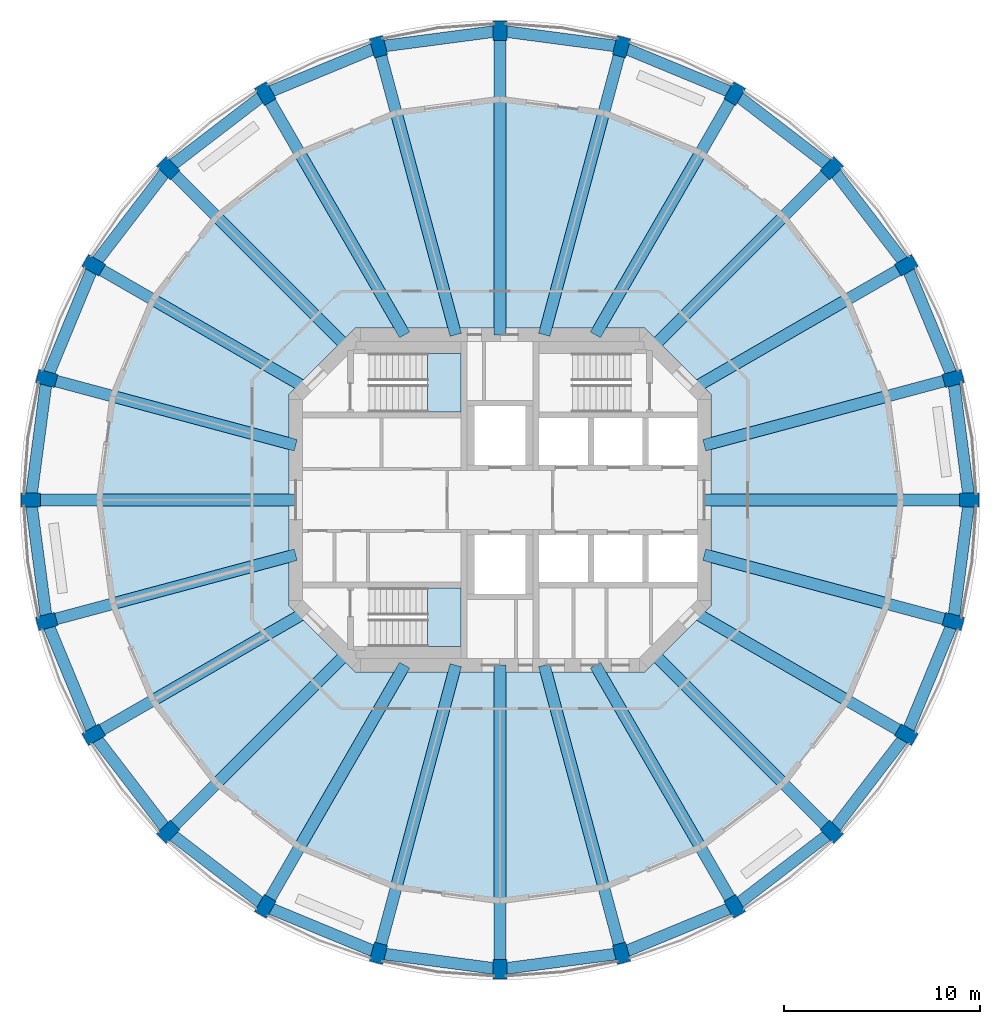
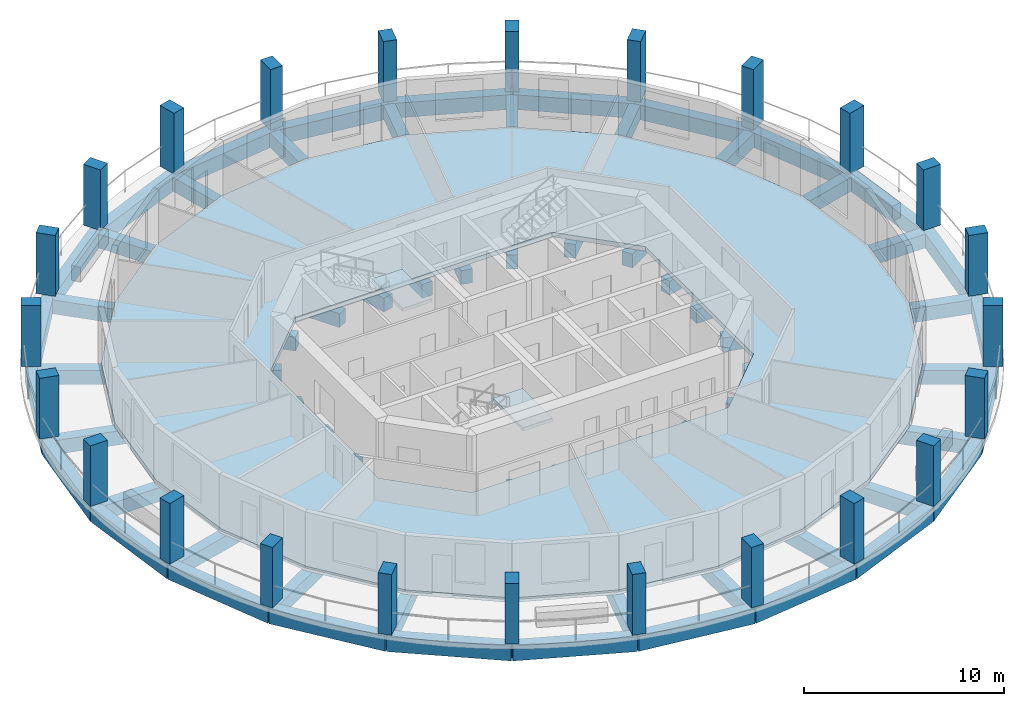
# One storey, part 1 of 9: 48 beams, 24 columns, 3 slabs, 2 elements without a shape of their own.
"""IFC4 building model written with IfcOpenShell, lengths in metres."""

from ifc_helpers import new_model, si_unit, direction, frame, origin, origin_2d, place, context, subcontext, project, spatial, polyline, rectangle, outline, extrude, material, layer, layer_set, material_profile, profile_set, type_object, element, aggregate, save


model = new_model("IFC4")

# Units and contexts
model_context = context("Model", 3, precision=1e-05, world=origin(), true_north=direction((0.0, 1.0)))
body_context = subcontext(model_context, "Body", "Model", "MODEL_VIEW")
ifc_project = project(units=[si_unit("LENGTHUNIT", "METRE"), si_unit("AREAUNIT", "SQUARE_METRE"), si_unit("VOLUMEUNIT", "CUBIC_METRE"), si_unit("PLANEANGLEUNIT", "RADIAN"), si_unit("MASSUNIT", "GRAM", prefix="KILO")], contexts=[model_context])

# Site, building, storey
site_placement = place(None, origin())
site = spatial("IfcSite", under=ifc_project, at=site_placement, CompositionType="ELEMENT")
building_placement = place(site_placement, origin())
building = spatial("IfcBuilding", under=site, at=building_placement, Name="Torre Triforio", CompositionType="ELEMENT")
storey_placement = place(building_placement, frame((0.0, 0.0, 244.60009765625)))
storey = spatial("IfcBuildingStorey", under=building, at=storey_placement, Name="L56", CompositionType="ELEMENT", Elevation=244.60009765625)

# Columns
ifc_material_1 = material(Name="Concrete C50", Category="concrete")
ifc_material_profile_1 = material_profile(ifc_material_1, rectangle(XDim=0.699951171875, YDim=1.0, at=origin_2d()), Name="RC 700x1000")
ifc_profile_set_1 = profile_set([ifc_material_profile_1], Name="Concrete C50")
column_type = type_object("IfcColumnType", Name="Pier RC 700x1000 C50", PredefinedType="COLUMN", material=ifc_profile_set_1)
for number, where, z_axis, x_axis, name in (
    (1, (24.0, 0.0, 0.0), (0.0, 0.0, 1.0), (0.0, 1.0, 0.0), "COL.R.L56.00"),
    (2, (23.18212890625, 6.211669921875, 0.0), (0.0, 0.0, 1.0), (-0.258819045103, 0.965925826289, 0.0), "COL.R.L56.01"),
    (3, (20.78466796875, 12.0, 0.0), (0.0, 0.0, 1.0), (-0.5, 0.866025403784, 0.0), "COL.R.L56.02"),
    (4, (16.970458984375, 16.970458984375, 0.0), (0.0, 0.0, 1.0), (-0.707106781187, 0.707106781187, 0.0), "COL.R.L56.03"),
    (5, (12.0, 20.78466796875, 0.0), (0.0, 0.0, 1.0), (-0.866025403784, 0.5, 0.0), "COL.R.L56.04"),
    (6, (6.211669921875, 23.18212890625, 0.0), (0.0, 0.0, 1.0), (-0.965925826289, 0.258819045103, 0.0), "COL.R.L56.05"),
    (7, (0.0, 24.0, 0.0), (0.0, 0.0, 1.0), (-1.0, 0.0, 0.0), "COL.R.L56.06"),
    (8, (-6.211669921875, 23.18212890625, 0.0), (0.0, 0.0, 1.0), (-0.965925826289, -0.258819045103, 0.0), "COL.R.L56.07"),
    (9, (-12.0, 20.78466796875, 0.0), (0.0, 0.0, 1.0), (-0.866025403784, -0.5, 0.0), "COL.R.L56.08"),
    (10, (-16.970458984375, 16.970458984375, 0.0), (0.0, 0.0, 1.0), (-0.707106781187, -0.707106781187, 0.0), "COL.R.L56.09"),
    (11, (-20.78466796875, 12.0, 0.0), (0.0, 0.0, 1.0), (-0.5, -0.866025403784, 0.0), "COL.R.L56.10"),
    (12, (-23.18212890625, 6.211669921875, 0.0), (0.0, 0.0, 1.0), (-0.258819045103, -0.965925826289, 0.0), "COL.R.L56.11"),
    (13, (-24.0, 0.0, 0.0), (0.0, 0.0, 1.0), (0.0, -1.0, 0.0), "COL.R.L56.12"),
    (14, (-23.18212890625, -6.211669921875, 0.0), (0.0, 0.0, 1.0), (0.258819045103, -0.965925826289, 0.0), "COL.R.L56.13"),
    (15, (-20.78466796875, -12.0, 0.0), (0.0, 0.0, 1.0), (0.5, -0.866025403784, 0.0), "COL.R.L56.14"),
    (16, (-16.970458984375, -16.970458984375, 0.0), (0.0, 0.0, 1.0), (0.707106781187, -0.707106781187, 0.0), "COL.R.L56.15"),
    (17, (-12.0, -20.78466796875, 0.0), (0.0, 0.0, 1.0), (0.866025403784, -0.5, 0.0), "COL.R.L56.16"),
    (18, (-6.211669921875, -23.18212890625, 0.0), (0.0, 0.0, 1.0), (0.965925826289, -0.258819045103, 0.0), "COL.R.L56.17"),
    (19, (0.0, -24.0, 0.0), (0.0, 0.0, 1.0), (1.0, 0.0, 0.0), "COL.R.L56.18"),
    (20, (6.211669921875, -23.18212890625, 0.0), (0.0, 0.0, 1.0), (0.965925826289, 0.258819045103, 0.0), "COL.R.L56.19"),
    (21, (12.0, -20.78466796875, 0.0), (0.0, 0.0, 1.0), (0.866025403784, 0.5, 0.0), "COL.R.L56.20"),
    (22, (16.970458984375, -16.970458984375, 0.0), (0.0, 0.0, 1.0), (0.707106781187, 0.707106781187, 0.0), "COL.R.L56.21"),
    (23, (20.78466796875, -12.0, 0.0), (0.0, 0.0, 1.0), (0.5, 0.866025403784, 0.0), "COL.R.L56.22"),
    (24, (23.18212890625, -6.211669921875, 0.0), (0.0, 0.0, 1.0), (0.258819045103, 0.965925826289, 0.0), "COL.R.L56.23"),
):
    element("IfcColumn", number, at=place(storey_placement, frame(where, z_axis=z_axis, x_axis=x_axis)), inside=storey, type_object=column_type, Name=name, PredefinedType="COLUMN", context=body_context, shape_type="SweptSolid", body=[
        extrude(rectangle(XDim=0.699951171875, YDim=1.0, at=origin_2d()), origin(), (0.0, 0.0, 1.0), 3.699951171875),
    ])

# Beams
ifc_material_2 = material(Name="Concrete C40", Category="concrete")
ifc_material_profile_2 = material_profile(ifc_material_2, rectangle(XDim=0.60009765625, YDim=0.85009765625, at=origin_2d()), Name="RC 600x850")
ifc_profile_set_2 = profile_set([ifc_material_profile_2], Name="Concrete C40")
beam_type_1 = type_object("IfcBeamType", Name="Radial beam RC 600x850 C40", PredefinedType="BEAM", material=ifc_profile_set_2)
beam_1_placement = place(storey_placement, frame((10.449951171875, 0.0, -0.705078125), z_axis=(1.0, 0.0, 0.0), x_axis=(0.0, 1.0, 0.0)))
element("IfcBeam", 25, at=beam_1_placement, inside=storey, type_object=beam_type_1, Name="BM.R.L56.00", PredefinedType="BEAM", context=body_context, shape_type="SweptSolid", body=[
    extrude(rectangle(XDim=0.60009765625, YDim=0.85009765625, at=origin_2d()), origin(), (0.0, 0.0, 1.0), 13.550048828125),
])
beam_2_placement = place(storey_placement, frame((10.449951171875, 2.800048828125, -0.705078125), z_axis=(0.965924985096, 0.258822184459, 0.0), x_axis=(-0.258822184459, 0.965924985096, 0.0)))
element("IfcBeam", 26, at=beam_2_placement, inside=storey, type_object=beam_type_1, Name="BM.R.L56.01", PredefinedType="BEAM", context=body_context, shape_type="SweptSolid", body=[
    extrude(rectangle(XDim=0.60009765625, YDim=0.85009765625, at=origin_2d()), origin(), (0.0, 0.0, 1.0), 13.181396484375),
])
beam_3_placement = place(storey_placement, frame((9.9501953125, 5.744873046875, -0.705078125), z_axis=(0.866030898433, 0.499990482869, 0.0), x_axis=(-0.499990482869, 0.866030898433, 0.0)))
element("IfcBeam", 27, at=beam_3_placement, inside=storey, type_object=beam_type_1, Name="BM.R.L56.02", PredefinedType="BEAM", context=body_context, shape_type="SweptSolid", body=[
    extrude(rectangle(XDim=0.60009765625, YDim=0.85009765625, at=origin_2d()), origin(), (0.0, 0.0, 1.0), 12.510498046875),
])
beam_4_placement = place(storey_placement, frame((7.847412109375, 7.847412109375, -0.705078125), z_axis=(0.707106781187, 0.707106781187, 0.0), x_axis=(-0.707106781187, 0.707106781187, 0.0)))
element("IfcBeam", 28, at=beam_4_placement, inside=storey, type_object=beam_type_1, Name="BM.R.L56.03", PredefinedType="BEAM", context=body_context, shape_type="SweptSolid", body=[
    extrude(rectangle(XDim=0.60009765625, YDim=0.85009765625, at=origin_2d()), origin(), (0.0, 0.0, 1.0), 12.90185546875),
])
beam_5_placement = place(storey_placement, frame((4.878662109375, 8.449951171875, -0.705078125), z_axis=(0.499993987895, 0.866028874847, 0.0), x_axis=(-0.866028874847, 0.499993987895, 0.0)))
element("IfcBeam", 29, at=beam_5_placement, inside=storey, type_object=beam_type_1, Name="BM.R.L56.04", PredefinedType="BEAM", context=body_context, shape_type="SweptSolid", body=[
    extrude(rectangle(XDim=0.60009765625, YDim=0.85009765625, at=origin_2d()), origin(), (0.0, 0.0, 1.0), 14.242919921875),
])
beam_6_placement = place(storey_placement, frame((2.26416015625, 8.449951171875, -0.705078125), z_axis=(0.258821164091, 0.965925258505, 0.0), x_axis=(-0.965925258505, 0.258821164091, 0.0)))
element("IfcBeam", 30, at=beam_6_placement, inside=storey, type_object=beam_type_1, Name="BM.R.L56.05", PredefinedType="BEAM", context=body_context, shape_type="SweptSolid", body=[
    extrude(rectangle(XDim=0.60009765625, YDim=0.85009765625, at=origin_2d()), origin(), (0.0, 0.0, 1.0), 15.251953125),
])
beam_7_placement = place(storey_placement, frame((0.0, 8.449951171875, -0.705078125), z_axis=(0.0, 1.0, 0.0), x_axis=(-1.0, 0.0, 0.0)))
element("IfcBeam", 31, at=beam_7_placement, inside=storey, type_object=beam_type_1, Name="BM.R.L56.06", PredefinedType="BEAM", context=body_context, shape_type="SweptSolid", body=[
    extrude(rectangle(XDim=0.60009765625, YDim=0.85009765625, at=origin_2d()), origin(), (0.0, 0.0, 1.0), 15.550048828125),
])
beam_8_placement = place(storey_placement, frame((-2.26416015625, 8.449951171875, -0.705078125), z_axis=(-0.258821164091, 0.965925258505, 0.0), x_axis=(-0.965925258505, -0.258821164091, 0.0)))
element("IfcBeam", 32, at=beam_8_placement, inside=storey, type_object=beam_type_1, Name="BM.R.L56.07", PredefinedType="BEAM", context=body_context, shape_type="SweptSolid", body=[
    extrude(rectangle(XDim=0.60009765625, YDim=0.85009765625, at=origin_2d()), origin(), (0.0, 0.0, 1.0), 15.251953125),
])
beam_9_placement = place(storey_placement, frame((-4.878662109375, 8.449951171875, -0.705078125), z_axis=(-0.499993987895, 0.866028874847, 0.0), x_axis=(-0.866028874847, -0.499993987895, 0.0)))
element("IfcBeam", 33, at=beam_9_placement, inside=storey, type_object=beam_type_1, Name="BM.R.L56.08", PredefinedType="BEAM", context=body_context, shape_type="SweptSolid", body=[
    extrude(rectangle(XDim=0.60009765625, YDim=0.85009765625, at=origin_2d()), origin(), (0.0, 0.0, 1.0), 14.242919921875),
])
beam_10_placement = place(storey_placement, frame((-7.847412109375, 7.847412109375, -0.705078125), z_axis=(-0.707106781187, 0.707106781187, 0.0), x_axis=(-0.707106781187, -0.707106781187, 0.0)))
element("IfcBeam", 34, at=beam_10_placement, inside=storey, type_object=beam_type_1, Name="BM.R.L56.09", PredefinedType="BEAM", context=body_context, shape_type="SweptSolid", body=[
    extrude(rectangle(XDim=0.60009765625, YDim=0.85009765625, at=origin_2d()), origin(), (0.0, 0.0, 1.0), 12.90185546875),
])
beam_11_placement = place(storey_placement, frame((-9.9501953125, 5.744873046875, -0.705078125), z_axis=(-0.866030898433, 0.499990482869, 0.0), x_axis=(-0.499990482869, -0.866030898433, 0.0)))
element("IfcBeam", 35, at=beam_11_placement, inside=storey, type_object=beam_type_1, Name="BM.R.L56.10", PredefinedType="BEAM", context=body_context, shape_type="SweptSolid", body=[
    extrude(rectangle(XDim=0.60009765625, YDim=0.85009765625, at=origin_2d()), origin(), (0.0, 0.0, 1.0), 12.510498046875),
])
beam_12_placement = place(storey_placement, frame((-10.449951171875, 2.800048828125, -0.705078125), z_axis=(-0.965924985096, 0.258822184459, 0.0), x_axis=(-0.258822184459, -0.965924985096, 0.0)))
element("IfcBeam", 36, at=beam_12_placement, inside=storey, type_object=beam_type_1, Name="BM.R.L56.11", PredefinedType="BEAM", context=body_context, shape_type="SweptSolid", body=[
    extrude(rectangle(XDim=0.60009765625, YDim=0.85009765625, at=origin_2d()), origin(), (0.0, 0.0, 1.0), 13.181396484375),
])
beam_13_placement = place(storey_placement, frame((-10.449951171875, 0.0, -0.705078125), z_axis=(-1.0, 0.0, 0.0), x_axis=(0.0, -1.0, 0.0)))
element("IfcBeam", 37, at=beam_13_placement, inside=storey, type_object=beam_type_1, Name="BM.R.L56.12", PredefinedType="BEAM", context=body_context, shape_type="SweptSolid", body=[
    extrude(rectangle(XDim=0.60009765625, YDim=0.85009765625, at=origin_2d()), origin(), (0.0, 0.0, 1.0), 13.550048828125),
])
beam_14_placement = place(storey_placement, frame((-10.449951171875, -2.800048828125, -0.705078125), z_axis=(-0.965924985096, -0.258822184459, 0.0), x_axis=(0.258822184459, -0.965924985096, 0.0)))
element("IfcBeam", 38, at=beam_14_placement, inside=storey, type_object=beam_type_1, Name="BM.R.L56.13", PredefinedType="BEAM", context=body_context, shape_type="SweptSolid", body=[
    extrude(rectangle(XDim=0.60009765625, YDim=0.85009765625, at=origin_2d()), origin(), (0.0, 0.0, 1.0), 13.181396484375),
])
beam_15_placement = place(storey_placement, frame((-9.9501953125, -5.744873046875, -0.705078125), z_axis=(-0.866030898433, -0.499990482869, 0.0), x_axis=(0.499990482869, -0.866030898433, 0.0)))
element("IfcBeam", 39, at=beam_15_placement, inside=storey, type_object=beam_type_1, Name="BM.R.L56.14", PredefinedType="BEAM", context=body_context, shape_type="SweptSolid", body=[
    extrude(rectangle(XDim=0.60009765625, YDim=0.85009765625, at=origin_2d()), origin(), (0.0, 0.0, 1.0), 12.510498046875),
])
beam_16_placement = place(storey_placement, frame((-7.847412109375, -7.847412109375, -0.705078125), z_axis=(-0.707106781187, -0.707106781187, 0.0), x_axis=(0.707106781187, -0.707106781187, 0.0)))
element("IfcBeam", 40, at=beam_16_placement, inside=storey, type_object=beam_type_1, Name="BM.R.L56.15", PredefinedType="BEAM", context=body_context, shape_type="SweptSolid", body=[
    extrude(rectangle(XDim=0.60009765625, YDim=0.85009765625, at=origin_2d()), origin(), (0.0, 0.0, 1.0), 12.90185546875),
])
beam_17_placement = place(storey_placement, frame((-4.878662109375, -8.449951171875, -0.705078125), z_axis=(-0.499993987895, -0.866028874847, 0.0), x_axis=(0.866028874847, -0.499993987895, 0.0)))
element("IfcBeam", 41, at=beam_17_placement, inside=storey, type_object=beam_type_1, Name="BM.R.L56.16", PredefinedType="BEAM", context=body_context, shape_type="SweptSolid", body=[
    extrude(rectangle(XDim=0.60009765625, YDim=0.85009765625, at=origin_2d()), origin(), (0.0, 0.0, 1.0), 14.242919921875),
])
beam_18_placement = place(storey_placement, frame((-2.26416015625, -8.449951171875, -0.705078125), z_axis=(-0.258821164091, -0.965925258505, 0.0), x_axis=(0.965925258505, -0.258821164091, 0.0)))
element("IfcBeam", 42, at=beam_18_placement, inside=storey, type_object=beam_type_1, Name="BM.R.L56.17", PredefinedType="BEAM", context=body_context, shape_type="SweptSolid", body=[
    extrude(rectangle(XDim=0.60009765625, YDim=0.85009765625, at=origin_2d()), origin(), (0.0, 0.0, 1.0), 15.251953125),
])
beam_19_placement = place(storey_placement, frame((0.0, -8.449951171875, -0.705078125), z_axis=(0.0, -1.0, 0.0), x_axis=(1.0, 0.0, 0.0)))
element("IfcBeam", 43, at=beam_19_placement, inside=storey, type_object=beam_type_1, Name="BM.R.L56.18", PredefinedType="BEAM", context=body_context, shape_type="SweptSolid", body=[
    extrude(rectangle(XDim=0.60009765625, YDim=0.85009765625, at=origin_2d()), origin(), (0.0, 0.0, 1.0), 15.550048828125),
])
beam_20_placement = place(storey_placement, frame((2.26416015625, -8.449951171875, -0.705078125), z_axis=(0.258821164091, -0.965925258505, 0.0), x_axis=(0.965925258505, 0.258821164091, 0.0)))
element("IfcBeam", 44, at=beam_20_placement, inside=storey, type_object=beam_type_1, Name="BM.R.L56.19", PredefinedType="BEAM", context=body_context, shape_type="SweptSolid", body=[
    extrude(rectangle(XDim=0.60009765625, YDim=0.85009765625, at=origin_2d()), origin(), (0.0, 0.0, 1.0), 15.251953125),
])
beam_21_placement = place(storey_placement, frame((4.878662109375, -8.449951171875, -0.705078125), z_axis=(0.499993987895, -0.866028874847, 0.0), x_axis=(0.866028874847, 0.499993987895, 0.0)))
element("IfcBeam", 45, at=beam_21_placement, inside=storey, type_object=beam_type_1, Name="BM.R.L56.20", PredefinedType="BEAM", context=body_context, shape_type="SweptSolid", body=[
    extrude(rectangle(XDim=0.60009765625, YDim=0.85009765625, at=origin_2d()), origin(), (0.0, 0.0, 1.0), 14.242919921875),
])
beam_22_placement = place(storey_placement, frame((7.847412109375, -7.847412109375, -0.705078125), z_axis=(0.707106781187, -0.707106781187, 0.0), x_axis=(0.707106781187, 0.707106781187, 0.0)))
element("IfcBeam", 46, at=beam_22_placement, inside=storey, type_object=beam_type_1, Name="BM.R.L56.21", PredefinedType="BEAM", context=body_context, shape_type="SweptSolid", body=[
    extrude(rectangle(XDim=0.60009765625, YDim=0.85009765625, at=origin_2d()), origin(), (0.0, 0.0, 1.0), 12.90185546875),
])
beam_23_placement = place(storey_placement, frame((9.9501953125, -5.744873046875, -0.705078125), z_axis=(0.866030898433, -0.499990482869, 0.0), x_axis=(0.499990482869, 0.866030898433, 0.0)))
element("IfcBeam", 47, at=beam_23_placement, inside=storey, type_object=beam_type_1, Name="BM.R.L56.22", PredefinedType="BEAM", context=body_context, shape_type="SweptSolid", body=[
    extrude(rectangle(XDim=0.60009765625, YDim=0.85009765625, at=origin_2d()), origin(), (0.0, 0.0, 1.0), 12.510498046875),
])
beam_24_placement = place(storey_placement, frame((10.449951171875, -2.800048828125, -0.705078125), z_axis=(0.965924985096, -0.258822184459, 0.0), x_axis=(0.258822184459, 0.965924985096, 0.0)))
element("IfcBeam", 48, at=beam_24_placement, inside=storey, type_object=beam_type_1, Name="BM.R.L56.23", PredefinedType="BEAM", context=body_context, shape_type="SweptSolid", body=[
    extrude(rectangle(XDim=0.60009765625, YDim=0.85009765625, at=origin_2d()), origin(), (0.0, 0.0, 1.0), 13.181396484375),
])
ifc_material_profile_3 = material_profile(ifc_material_2, rectangle(XDim=0.60009765625, YDim=0.89990234375, at=origin_2d()), Name="RC 600x900")
ifc_profile_set_3 = profile_set([ifc_material_profile_3], Name="Concrete C40")
beam_type_2 = type_object("IfcBeamType", Name="Spandrel beam RC 600x900 C40", PredefinedType="SPANDREL", material=ifc_profile_set_3)
beam_25_placement = place(storey_placement, frame((24.0, 0.0, -0.72998046875), z_axis=(-0.130540192224, 0.991443018138, 0.0), x_axis=(-0.991443018138, -0.130540192224, 0.0)))
element("IfcBeam", 49, at=beam_25_placement, inside=storey, type_object=beam_type_2, Name="BM.S.L56.00", PredefinedType="SPANDREL", context=body_context, shape_type="SweptSolid", body=[
    extrude(rectangle(XDim=0.60009765625, YDim=0.89990234375, at=origin_2d()), origin(), (0.0, 0.0, 1.0), 6.265380859375),
])
beam_26_placement = place(storey_placement, frame((23.18212890625, 6.211669921875, -0.72998046875), z_axis=(-0.382663829839, 0.9238876519, 0.0), x_axis=(-0.9238876519, -0.382663829839, 0.0)))
element("IfcBeam", 50, at=beam_26_placement, inside=storey, type_object=beam_type_2, Name="BM.S.L56.01", PredefinedType="SPANDREL", context=body_context, shape_type="SweptSolid", body=[
    extrude(rectangle(XDim=0.60009765625, YDim=0.89990234375, at=origin_2d()), origin(), (0.0, 0.0, 1.0), 6.26513671875),
])
for number, where, z_axis, x_axis, name in (
    (51, (20.78466796875, 12.0, -0.72998046875), (-0.608785706196, 0.79333471116, 0.0), (-0.79333471116, -0.608785706196, 0.0), "BM.S.L56.02"),
    (52, (16.970458984375, 16.970458984375, -0.72998046875), (-0.79333471116, 0.608785706196, 0.0), (-0.608785706196, -0.79333471116, 0.0), "BM.S.L56.03"),
):
    element("IfcBeam", number, at=place(storey_placement, frame(where, z_axis=z_axis, x_axis=x_axis)), inside=storey, type_object=beam_type_2, Name=name, PredefinedType="SPANDREL", context=body_context, shape_type="SweptSolid", body=[
        extrude(rectangle(XDim=0.60009765625, YDim=0.89990234375, at=origin_2d()), origin(), (0.0, 0.0, 1.0), 6.265380859375),
    ])
beam_27_placement = place(storey_placement, frame((12.0, 20.78466796875, -0.72998046875), z_axis=(-0.9238876519, 0.382663829839, 0.0), x_axis=(-0.382663829839, -0.9238876519, 0.0)))
element("IfcBeam", 53, at=beam_27_placement, inside=storey, type_object=beam_type_2, Name="BM.S.L56.04", PredefinedType="SPANDREL", context=body_context, shape_type="SweptSolid", body=[
    extrude(rectangle(XDim=0.60009765625, YDim=0.89990234375, at=origin_2d()), origin(), (0.0, 0.0, 1.0), 6.26513671875),
])
for number, where, z_axis, x_axis, name in (
    (54, (6.211669921875, 23.18212890625, -0.72998046875), (-0.991443018138, 0.130540192224, 0.0), (-0.130540192224, -0.991443018138, 0.0), "BM.S.L56.05"),
    (55, (0.0, 24.0, -0.72998046875), (-0.991443018138, -0.130540192224, 0.0), (0.130540192224, -0.991443018138, 0.0), "BM.S.L56.06"),
):
    element("IfcBeam", number, at=place(storey_placement, frame(where, z_axis=z_axis, x_axis=x_axis)), inside=storey, type_object=beam_type_2, Name=name, PredefinedType="SPANDREL", context=body_context, shape_type="SweptSolid", body=[
        extrude(rectangle(XDim=0.60009765625, YDim=0.89990234375, at=origin_2d()), origin(), (0.0, 0.0, 1.0), 6.265380859375),
    ])
beam_28_placement = place(storey_placement, frame((-6.211669921875, 23.18212890625, -0.72998046875), z_axis=(-0.9238876519, -0.382663829839, 0.0), x_axis=(0.382663829839, -0.9238876519, 0.0)))
element("IfcBeam", 56, at=beam_28_placement, inside=storey, type_object=beam_type_2, Name="BM.S.L56.07", PredefinedType="SPANDREL", context=body_context, shape_type="SweptSolid", body=[
    extrude(rectangle(XDim=0.60009765625, YDim=0.89990234375, at=origin_2d()), origin(), (0.0, 0.0, 1.0), 6.26513671875),
])
for number, where, z_axis, x_axis, name in (
    (57, (-12.0, 20.78466796875, -0.72998046875), (-0.79333471116, -0.608785706196, 0.0), (0.608785706196, -0.79333471116, 0.0), "BM.S.L56.08"),
    (58, (-16.970458984375, 16.970458984375, -0.72998046875), (-0.608785706196, -0.79333471116, 0.0), (0.79333471116, -0.608785706196, 0.0), "BM.S.L56.09"),
):
    element("IfcBeam", number, at=place(storey_placement, frame(where, z_axis=z_axis, x_axis=x_axis)), inside=storey, type_object=beam_type_2, Name=name, PredefinedType="SPANDREL", context=body_context, shape_type="SweptSolid", body=[
        extrude(rectangle(XDim=0.60009765625, YDim=0.89990234375, at=origin_2d()), origin(), (0.0, 0.0, 1.0), 6.265380859375),
    ])
beam_29_placement = place(storey_placement, frame((-20.78466796875, 12.0, -0.72998046875), z_axis=(-0.382663829839, -0.9238876519, 0.0), x_axis=(0.9238876519, -0.382663829839, 0.0)))
element("IfcBeam", 59, at=beam_29_placement, inside=storey, type_object=beam_type_2, Name="BM.S.L56.10", PredefinedType="SPANDREL", context=body_context, shape_type="SweptSolid", body=[
    extrude(rectangle(XDim=0.60009765625, YDim=0.89990234375, at=origin_2d()), origin(), (0.0, 0.0, 1.0), 6.26513671875),
])
for number, where, z_axis, x_axis, name in (
    (60, (-23.18212890625, 6.211669921875, -0.72998046875), (-0.130540192224, -0.991443018138, 0.0), (0.991443018138, -0.130540192224, 0.0), "BM.S.L56.11"),
    (61, (-24.0, 0.0, -0.72998046875), (0.130540192224, -0.991443018138, 0.0), (0.991443018138, 0.130540192224, 0.0), "BM.S.L56.12"),
):
    element("IfcBeam", number, at=place(storey_placement, frame(where, z_axis=z_axis, x_axis=x_axis)), inside=storey, type_object=beam_type_2, Name=name, PredefinedType="SPANDREL", context=body_context, shape_type="SweptSolid", body=[
        extrude(rectangle(XDim=0.60009765625, YDim=0.89990234375, at=origin_2d()), origin(), (0.0, 0.0, 1.0), 6.265380859375),
    ])
beam_30_placement = place(storey_placement, frame((-23.18212890625, -6.211669921875, -0.72998046875), z_axis=(0.382663829839, -0.9238876519, 0.0), x_axis=(0.9238876519, 0.382663829839, 0.0)))
element("IfcBeam", 62, at=beam_30_placement, inside=storey, type_object=beam_type_2, Name="BM.S.L56.13", PredefinedType="SPANDREL", context=body_context, shape_type="SweptSolid", body=[
    extrude(rectangle(XDim=0.60009765625, YDim=0.89990234375, at=origin_2d()), origin(), (0.0, 0.0, 1.0), 6.26513671875),
])
for number, where, z_axis, x_axis, name in (
    (63, (-20.78466796875, -12.0, -0.72998046875), (0.608785706196, -0.79333471116, 0.0), (0.79333471116, 0.608785706196, 0.0), "BM.S.L56.14"),
    (64, (-16.970458984375, -16.970458984375, -0.72998046875), (0.79333471116, -0.608785706196, 0.0), (0.608785706196, 0.79333471116, 0.0), "BM.S.L56.15"),
):
    element("IfcBeam", number, at=place(storey_placement, frame(where, z_axis=z_axis, x_axis=x_axis)), inside=storey, type_object=beam_type_2, Name=name, PredefinedType="SPANDREL", context=body_context, shape_type="SweptSolid", body=[
        extrude(rectangle(XDim=0.60009765625, YDim=0.89990234375, at=origin_2d()), origin(), (0.0, 0.0, 1.0), 6.265380859375),
    ])
beam_31_placement = place(storey_placement, frame((-12.0, -20.78466796875, -0.72998046875), z_axis=(0.9238876519, -0.382663829839, 0.0), x_axis=(0.382663829839, 0.9238876519, 0.0)))
element("IfcBeam", 65, at=beam_31_placement, inside=storey, type_object=beam_type_2, Name="BM.S.L56.16", PredefinedType="SPANDREL", context=body_context, shape_type="SweptSolid", body=[
    extrude(rectangle(XDim=0.60009765625, YDim=0.89990234375, at=origin_2d()), origin(), (0.0, 0.0, 1.0), 6.26513671875),
])
for number, where, z_axis, x_axis, name in (
    (66, (-6.211669921875, -23.18212890625, -0.72998046875), (0.991443018138, -0.130540192224, 0.0), (0.130540192224, 0.991443018138, 0.0), "BM.S.L56.17"),
    (67, (0.0, -24.0, -0.72998046875), (0.991443018138, 0.130540192224, 0.0), (-0.130540192224, 0.991443018138, 0.0), "BM.S.L56.18"),
):
    element("IfcBeam", number, at=place(storey_placement, frame(where, z_axis=z_axis, x_axis=x_axis)), inside=storey, type_object=beam_type_2, Name=name, PredefinedType="SPANDREL", context=body_context, shape_type="SweptSolid", body=[
        extrude(rectangle(XDim=0.60009765625, YDim=0.89990234375, at=origin_2d()), origin(), (0.0, 0.0, 1.0), 6.265380859375),
    ])
beam_32_placement = place(storey_placement, frame((6.211669921875, -23.18212890625, -0.72998046875), z_axis=(0.9238876519, 0.382663829839, 0.0), x_axis=(-0.382663829839, 0.9238876519, 0.0)))
element("IfcBeam", 68, at=beam_32_placement, inside=storey, type_object=beam_type_2, Name="BM.S.L56.19", PredefinedType="SPANDREL", context=body_context, shape_type="SweptSolid", body=[
    extrude(rectangle(XDim=0.60009765625, YDim=0.89990234375, at=origin_2d()), origin(), (0.0, 0.0, 1.0), 6.26513671875),
])
for number, where, z_axis, x_axis, name in (
    (69, (12.0, -20.78466796875, -0.72998046875), (0.79333471116, 0.608785706196, 0.0), (-0.608785706196, 0.79333471116, 0.0), "BM.S.L56.20"),
    (70, (16.970458984375, -16.970458984375, -0.72998046875), (0.608785706196, 0.79333471116, 0.0), (-0.79333471116, 0.608785706196, 0.0), "BM.S.L56.21"),
):
    element("IfcBeam", number, at=place(storey_placement, frame(where, z_axis=z_axis, x_axis=x_axis)), inside=storey, type_object=beam_type_2, Name=name, PredefinedType="SPANDREL", context=body_context, shape_type="SweptSolid", body=[
        extrude(rectangle(XDim=0.60009765625, YDim=0.89990234375, at=origin_2d()), origin(), (0.0, 0.0, 1.0), 6.265380859375),
    ])
beam_33_placement = place(storey_placement, frame((20.78466796875, -12.0, -0.72998046875), z_axis=(0.382663829839, 0.9238876519, 0.0), x_axis=(-0.9238876519, 0.382663829839, 0.0)))
element("IfcBeam", 71, at=beam_33_placement, inside=storey, type_object=beam_type_2, Name="BM.S.L56.22", PredefinedType="SPANDREL", context=body_context, shape_type="SweptSolid", body=[
    extrude(rectangle(XDim=0.60009765625, YDim=0.89990234375, at=origin_2d()), origin(), (0.0, 0.0, 1.0), 6.26513671875),
])
beam_34_placement = place(storey_placement, frame((23.18212890625, -6.211669921875, -0.72998046875), z_axis=(0.130540192224, 0.991443018138, 0.0), x_axis=(-0.991443018138, 0.130540192224, 0.0)))
element("IfcBeam", 72, at=beam_34_placement, inside=storey, type_object=beam_type_2, Name="BM.S.L56.23", PredefinedType="SPANDREL", context=body_context, shape_type="SweptSolid", body=[
    extrude(rectangle(XDim=0.60009765625, YDim=0.89990234375, at=origin_2d()), origin(), (0.0, 0.0, 1.0), 6.265380859375),
])

# Slab
ifc_layer_1 = layer(ifc_material_2, 0.280029296875)
ifc_layer_set_1 = layer_set([ifc_layer_1], Name="Concrete C40")
slab_type_1 = type_object("IfcSlabType", Name="Floor slab 280 C40", PredefinedType="FLOOR", material=ifc_layer_set_1)
slab_1_placement = place(storey_placement, frame((0.0, 0.0, -0.280029296875)))
element("IfcSlab", 73, at=slab_1_placement, inside=storey, type_object=slab_type_1, Name="SL.L56", PredefinedType="FLOOR", context=body_context, shape_type="SweptSolid", body=[
    extrude(outline(polyline([(17.75341796875, -10.25), (19.801513671875, -5.305908203125), (20.5, 0.0), (19.801513671875, 5.305908203125), (17.75341796875, 10.25), (14.49560546875, 14.49560546875), (10.25, 17.75341796875), (5.305908203125, 19.801513671875), (0.0, 20.5), (-5.305908203125, 19.801513671875), (-10.25, 17.75341796875), (-14.49560546875, 14.49560546875), (-17.75341796875, 10.25), (-19.801513671875, 5.305908203125), (-20.5, 0.0), (-19.801513671875, -5.305908203125), (-17.75341796875, -10.25), (-14.49560546875, -14.49560546875), (-10.25, -17.75341796875), (-5.305908203125, -19.801513671875), (0.0, -20.5), (5.305908203125, -19.801513671875), (10.25, -17.75341796875), (14.49560546875, -14.49560546875), (17.75341796875, -10.25)]), holes=[polyline([(10.800048828125, 5.389892578125), (10.800048828125, -5.389892578125), (7.389892578125, -8.800048828125), (-7.389892578125, -8.800048828125), (-10.800048828125, -5.389892578125), (-10.800048828125, 5.389892578125), (-7.389892578125, 8.800048828125), (7.389892578125, 8.800048828125), (10.800048828125, 5.389892578125)])]), origin(), (0.0, 0.0, 1.0), 0.280029296875),
])

# Stair, slab
stair_type = type_object("IfcStairType", Name="STAIR HALF-TURN", PredefinedType="HALF_TURN_STAIR", material=ifc_material_2)
stair_1_placement = place(storey_placement, origin())
stair_1 = element("IfcStair", 74, at=stair_1_placement, inside=storey, type_object=stair_type, Name="Exit stair 1", PredefinedType="HALF_TURN_STAIR")
ifc_layer_2 = layer(ifc_material_2, 0.199951171875)
ifc_layer_set_2 = layer_set([ifc_layer_2], Name="Concrete C40")
slab_type_2 = type_object("IfcSlabType", Name="STAIR LANDING 200", PredefinedType="LANDING", material=ifc_layer_set_2)
slab_2_placement = place(storey_placement, frame((0.0, 0.0, 1.64990234375)))
slab_2 = element("IfcSlab", 75, at=slab_2_placement, type_object=slab_type_2, Name="ST1 landing 1", PredefinedType="LANDING", context=body_context, shape_type="SweptSolid", body=[
    extrude(outline(polyline([(-2.0, 4.5), (-2.0, 7.5), (-3.699951171875, 7.5), (-3.699951171875, 4.5), (-2.0, 4.5)])), origin(), (0.0, 0.0, 1.0), 0.199951171875),
])
aggregate(stair_1, [slab_2])

stair_2_placement = place(storey_placement, origin())
stair_2 = element("IfcStair", 76, at=stair_2_placement, inside=storey, type_object=stair_type, Name="Exit stair 3", PredefinedType="HALF_TURN_STAIR")
slab_3_placement = place(storey_placement, frame((0.0, 0.0, 1.64990234375)))
slab_3 = element("IfcSlab", 77, at=slab_3_placement, type_object=slab_type_2, Name="ST3 landing 1", PredefinedType="LANDING", context=body_context, shape_type="SweptSolid", body=[
    extrude(outline(polyline([(-2.0, -7.5), (-2.0, -4.5), (-3.699951171875, -4.5), (-3.699951171875, -7.5), (-2.0, -7.5)])), origin(), (0.0, 0.0, 1.0), 0.199951171875),
])
aggregate(stair_2, [slab_3])

save(model, "model.ifc")
